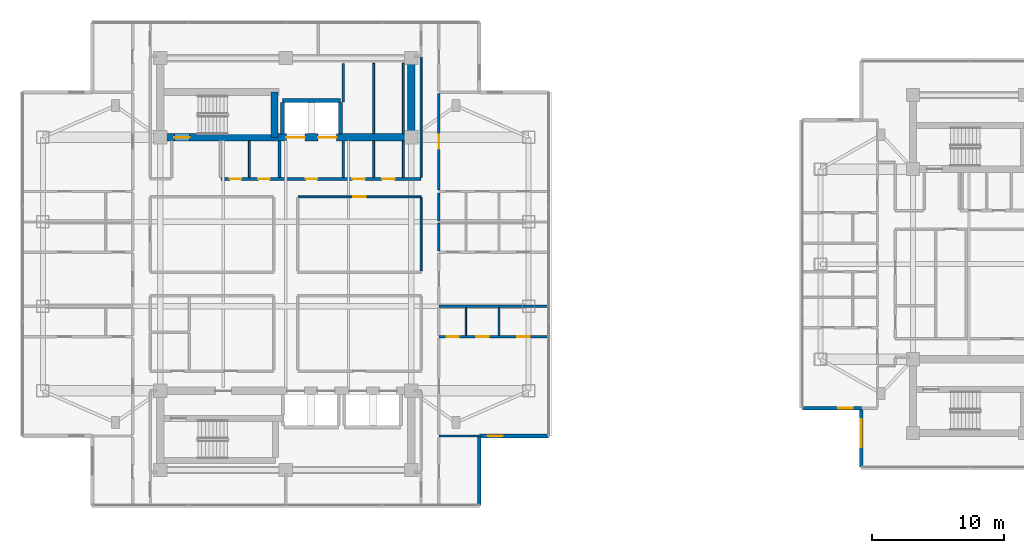
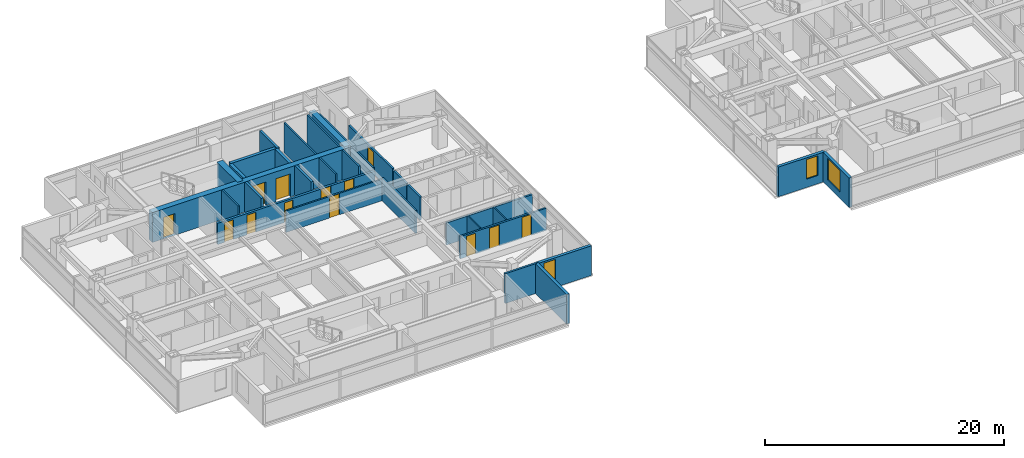
# One storey, part 14 of 24: 30 walls, 13 doors, 3 windows, 16 openings.
"""IFC4 building model written with IfcOpenShell, lengths in metres."""

from ifc_helpers import new_model, si_unit, direction, frame, frame_2d, origin, place, context, subcontext, project, spatial, rectangle, extrude, material, layer, layer_set, type_object, element, fill, save


model = new_model("IFC4")

# Units and contexts
model_context = context("Model", 3, precision=1e-05, world=origin(), true_north=direction((0.0, 1.0)))
body_context = subcontext(model_context, "Body", "Model", "MODEL_VIEW")
ifc_project = project(units=[si_unit("LENGTHUNIT", "METRE"), si_unit("AREAUNIT", "SQUARE_METRE"), si_unit("VOLUMEUNIT", "CUBIC_METRE"), si_unit("PLANEANGLEUNIT", "RADIAN"), si_unit("MASSUNIT", "GRAM", prefix="KILO")], contexts=[model_context])

# Site, building, storey
site_placement = place(None, origin())
site = spatial("IfcSite", under=ifc_project, at=site_placement, CompositionType="ELEMENT")
building_placement = place(site_placement, origin())
building = spatial("IfcBuilding", under=site, at=building_placement, Name="Mirazonda Arch Towers", CompositionType="ELEMENT")
storey_placement = place(building_placement, frame((0.0, 0.0, 157.64990234375)))
storey = spatial("IfcBuildingStorey", under=building, at=storey_placement, Name="L44", CompositionType="ELEMENT", Elevation=157.64990234375)

# Wall
ifc_material_1 = material(Name="Concrete C50/60", Category="concrete")
ifc_layer_1 = layer(ifc_material_1, 0.550048828125, Name="WALL-CORE-550")
ifc_layer_set_1 = layer_set([ifc_layer_1], Name="Concrete C50/60")
wall_type_1 = type_object("IfcWallType", Name="WALL-CORE-550", PredefinedType="SHEAR", material=ifc_layer_set_1)
wall_1_placement = place(storey_placement, frame((30.0, 37.60009765625, 0.0), z_axis=(0.0, 0.0, 1.0), x_axis=(0.0, 1.0, 0.0)))
element("IfcWall", 1, at=wall_1_placement, inside=storey, type_object=wall_type_1, Name="L44 T1N-E Core Shear Wall", PredefinedType="SHEAR", context=body_context, shape_type="SweptSolid", body=[
    extrude(rectangle(XDim=6.0, YDim=0.550048828125, at=frame_2d((3.0, 0.0))), origin(), (0.0, 0.0, 1.0), 3.050048828125),
])

# Wall, openings, doors
wall_2_placement = place(storey_placement, frame((11.0, 37.60009765625, 0.0), z_axis=(0.0, 0.0, 1.0), x_axis=(1.0, 0.0, 0.0)))
wall_2 = element("IfcWall", 2, at=wall_2_placement, inside=storey, type_object=wall_type_1, Name="L44 T1N-S Core Shear Wall", PredefinedType="SHEAR", context=body_context, shape_type="SweptSolid", body=[
    extrude(rectangle(XDim=19.0, YDim=0.550048828125, at=frame_2d((9.5, 0.0))), origin(), (0.0, 0.0, 1.0), 3.050048828125),
])
opening_1_placement = place(wall_2_placement, frame((1.06005859375, 0.0, 0.0)))
opening_1 = element("IfcOpeningElement", 3, at=opening_1_placement, cuts=wall_2, Name="Opening DR-135", PredefinedType="OPENING", context=body_context, shape_type="SweptSolid", body=[
    extrude(rectangle(XDim=1.14990234375, YDim=2.199951171875, at=frame_2d((0.574951171875, 1.10009765625))), frame((0.0, 0.284912109375, 0.0), z_axis=(0.0, -1.0, 0.0), x_axis=(1.0, 0.0, 0.0)), (0.0, 0.0, 1.0), 0.570068359375),
])
opening_2_placement = place(wall_2_placement, frame((9.550048828125, 0.0, 0.0)))
opening_2 = element("IfcOpeningElement", 4, at=opening_2_placement, cuts=wall_2, Name="Opening LD-112", PredefinedType="OPENING", context=body_context, shape_type="SweptSolid", body=[
    extrude(rectangle(XDim=1.39990234375, YDim=2.35009765625, at=frame_2d((0.699951171875, 1.175048828125))), frame((0.0, 0.284912109375, 0.0), z_axis=(0.0, -1.0, 0.0), x_axis=(1.0, 0.0, 0.0)), (0.0, 0.0, 1.0), 0.570068359375),
])
opening_3_placement = place(wall_2_placement, frame((11.949951171875, 0.0, 0.0)))
opening_3 = element("IfcOpeningElement", 5, at=opening_3_placement, cuts=wall_2, Name="Opening LD-112", PredefinedType="OPENING", context=body_context, shape_type="SweptSolid", body=[
    extrude(rectangle(XDim=1.39990234375, YDim=2.35009765625, at=frame_2d((0.699951171875, 1.175048828125))), frame((0.0, 0.284912109375, 0.0), z_axis=(0.0, -1.0, 0.0), x_axis=(1.0, 0.0, 0.0)), (0.0, 0.0, 1.0), 0.570068359375),
])
ifc_material_2 = material(Name="Architectural Brushed Steel S355", Category="steel")
door_type_1 = type_object("IfcDoorType", Name="DOOR-LIFT-FFL-1400", OperationType="NOTDEFINED", PredefinedType="DOOR", material=ifc_material_2)
door_1_placement = place(opening_2_placement, origin())
door_1 = element("IfcDoor", 6, at=door_1_placement, inside=storey, type_object=door_type_1, Name="L44 Lift Landing Sliding Door FFL-T1", OperationType="DOUBLE_DOOR_SLIDING", OverallHeight=2.35009765625, OverallWidth=1.39990234375, PredefinedType="DOOR", context=body_context, shape_type="SweptSolid", body=[
    extrude(rectangle(XDim=1.39990234375, YDim=2.35009765625, at=frame_2d((0.699951171875, 1.175048828125))), frame((0.0, 0.02490234375, 0.0), z_axis=(0.0, -1.0, 0.0), x_axis=(1.0, 0.0, 0.0)), (0.0, 0.0, 1.0), 0.050048828125),
])
fill(opening_2, door_1)
door_2_placement = place(opening_3_placement, origin())
door_2 = element("IfcDoor", 7, at=door_2_placement, inside=storey, type_object=door_type_1, Name="L44 Lift Landing Sliding Door SVL-T1", OperationType="DOUBLE_DOOR_SLIDING", OverallHeight=2.35009765625, OverallWidth=1.39990234375, PredefinedType="DOOR", context=body_context, shape_type="SweptSolid", body=[
    extrude(rectangle(XDim=1.39990234375, YDim=2.35009765625, at=frame_2d((0.699951171875, 1.175048828125))), frame((0.0, 0.02490234375, 0.0), z_axis=(0.0, -1.0, 0.0), x_axis=(1.0, 0.0, 0.0)), (0.0, 0.0, 1.0), 0.050048828125),
])
fill(opening_3, door_2)
door_type_2 = type_object("IfcDoorType", Name="DOOR-STAIR-FD90-1150", OperationType="NOTDEFINED", PredefinedType="DOOR", material=ifc_material_2)
door_3_placement = place(opening_1_placement, origin())
door_3 = element("IfcDoor", 8, at=door_3_placement, inside=storey, type_object=door_type_2, Name="L44 Protected Exit Stair North Door", OperationType="SINGLE_SWING_LEFT", OverallHeight=2.199951171875, OverallWidth=1.14990234375, PredefinedType="DOOR", context=body_context, shape_type="SweptSolid", body=[
    extrude(rectangle(XDim=1.14990234375, YDim=2.199951171875, at=frame_2d((0.574951171875, 1.10009765625))), frame((0.0, 0.02490234375, 0.0), z_axis=(0.0, -1.0, 0.0), x_axis=(1.0, 0.0, 0.0)), (0.0, 0.0, 1.0), 0.050048828125),
])
fill(opening_1, door_3)

# Wall
wall_3_placement = place(storey_placement, frame((19.64990234375, 37.60009765625, 0.0), z_axis=(0.0, 0.0, 1.0), x_axis=(0.0, 1.0, 0.0)))
element("IfcWall", 9, at=wall_3_placement, inside=storey, type_object=wall_type_1, Name="L44 T1N-STE Core Shear Wall", PredefinedType="SHEAR", context=body_context, shape_type="SweptSolid", body=[
    extrude(rectangle(XDim=3.44287109375, YDim=0.550048828125, at=frame_2d((1.721435546875, 0.0))), origin(), (0.0, 0.0, 1.0), 3.050048828125),
])

# Wall, opening, window
ifc_material_3 = material(Name="Precast Concrete C40/50", Category="concrete")
ifc_layer_2 = layer(ifc_material_3, 0.280029296875, Name="WALL-EXT-WALL-280")
ifc_layer_set_2 = layer_set([ifc_layer_2], Name="Precast Concrete C40/50")
wall_type_2 = type_object("IfcWallType", Name="WALL-EXT-WALL-280", PredefinedType="SOLIDWALL", material=ifc_layer_set_2)
wall_4_placement = place(storey_placement, frame((35.1650390625, 14.97705078125, 0.0), z_axis=(0.0, 0.0, 1.0), x_axis=(1.0, 0.0, 0.0)))
wall_4 = element("IfcWall", 10, at=wall_4_placement, inside=storey, type_object=wall_type_2, Name="L44 T1 Corner Notch Return Wall WL-L44-T1-CSE1", PredefinedType="SOLIDWALL", context=body_context, shape_type="SweptSolid", body=[
    extrude(rectangle(XDim=5.244873046875, YDim=0.280029296875, at=frame_2d((2.62255859375, 0.0))), origin(), (0.0, 0.0, 1.0), 3.030029296875),
])
opening_4_placement = place(wall_4_placement, frame((0.64990234375, 0.0, 0.85009765625)))
opening_4 = element("IfcOpeningElement", 11, at=opening_4_placement, cuts=wall_4, Name="Opening WN-108", PredefinedType="OPENING", context=body_context, shape_type="SweptSolid", body=[
    extrude(rectangle(XDim=1.10009765625, YDim=2.0, at=frame_2d((0.550048828125, 1.0))), frame((0.0, 0.14990234375, 0.0), z_axis=(0.0, -1.0, 0.0), x_axis=(1.0, 0.0, 0.0)), (0.0, 0.0, 1.0), 0.300048828125),
])
ifc_material_4 = material(Name="Insulated Low-E Solar Glass", Category="glass")
window_type_1 = type_object("IfcWindowType", Name="WIN-NOTCH-1100x2000", PartitioningType="SINGLE_PANEL", PredefinedType="WINDOW", material=ifc_material_4)
window_1_placement = place(opening_4_placement, origin())
window_1 = element("IfcWindow", 12, at=window_1_placement, inside=storey, type_object=window_type_1, Name="L44 Punched Facade Window WN-L44-T1-CSE1", OverallHeight=2.0, OverallWidth=1.10009765625, PartitioningType="SINGLE_PANEL", PredefinedType="WINDOW", context=body_context, shape_type="SweptSolid", body=[
    extrude(rectangle(XDim=1.10009765625, YDim=2.0, at=frame_2d((0.550048828125, 1.0))), frame((0.0, 0.030029296875, 0.0), z_axis=(0.0, -1.0, 0.0), x_axis=(1.0, 0.0, 0.0)), (0.0, 0.0, 1.0), 0.06005859375),
])
fill(opening_4, window_1)

# Wall
wall_5_placement = place(storey_placement, frame((35.1650390625, 9.73193359375, 0.0), z_axis=(0.0, 0.0, 1.0), x_axis=(0.0, 1.0, 0.0)))
element("IfcWall", 13, at=wall_5_placement, inside=storey, type_object=wall_type_2, Name="L44 T1 Corner Notch Return Wall WL-L44-T1-CSE2", PredefinedType="SOLIDWALL", context=body_context, shape_type="SweptSolid", body=[
    extrude(rectangle(XDim=5.2451171875, YDim=0.280029296875, at=frame_2d((2.62255859375, 0.0))), origin(), (0.0, 0.0, 1.0), 3.030029296875),
])

# Wall, opening, window
wall_6_placement = place(storey_placement, frame((64.0947265625, 17.09033203125, 0.0), z_axis=(0.0, 0.0, 1.0), x_axis=(0.0, -1.0, 0.0)))
wall_6 = element("IfcWall", 14, at=wall_6_placement, inside=storey, type_object=wall_type_2, Name="L44 T2 Notched SW Corner Wall WL-L44-T2-CSW", PredefinedType="SOLIDWALL", context=body_context, shape_type="SweptSolid", body=[
    extrude(rectangle(XDim=4.465087890625, YDim=0.280029296875, at=frame_2d((2.232421875, 0.0))), origin(), (0.0, 0.0, 1.0), 3.030029296875),
])
opening_5_placement = place(wall_6_placement, frame((0.85009765625, 0.0, 0.679931640625)))
opening_5 = element("IfcOpeningElement", 15, at=opening_5_placement, cuts=wall_6, Name="Opening WN-117", PredefinedType="OPENING", context=body_context, shape_type="SweptSolid", body=[
    extrude(rectangle(XDim=2.10009765625, YDim=2.199951171875, at=frame_2d((1.050048828125, 1.10009765625))), frame((0.0, 0.14990234375, 0.0), z_axis=(0.0, -1.0, 0.0), x_axis=(1.0, 0.0, 0.0)), (0.0, 0.0, 1.0), 0.300048828125),
])
window_type_2 = type_object("IfcWindowType", Name="WIN-RES-2100x2200", PartitioningType="SINGLE_PANEL", PredefinedType="WINDOW", material=ifc_material_4)
window_2_placement = place(opening_5_placement, origin())
window_2 = element("IfcWindow", 16, at=window_2_placement, inside=storey, type_object=window_type_2, Name="L44 Punched Facade Window WN-L44-T2-CSW", OverallHeight=2.199951171875, OverallWidth=2.10009765625, PartitioningType="SINGLE_PANEL", PredefinedType="WINDOW", context=body_context, shape_type="SweptSolid", body=[
    extrude(rectangle(XDim=2.10009765625, YDim=2.199951171875, at=frame_2d((1.050048828125, 1.10009765625))), frame((0.0, 0.030029296875, 0.0), z_axis=(0.0, -1.0, 0.0), x_axis=(1.0, 0.0, 0.0)), (0.0, 0.0, 1.0), 0.06005859375),
])
fill(opening_5, window_2)

wall_7_placement = place(storey_placement, frame((59.62939453125, 17.09033203125, 0.0), z_axis=(0.0, 0.0, 1.0), x_axis=(1.0, 0.0, 0.0)))
wall_7 = element("IfcWall", 17, at=wall_7_placement, inside=storey, type_object=wall_type_2, Name="L44 T2 Corner Notch Return Wall WL-L44-T2-CSW2", PredefinedType="SOLIDWALL", context=body_context, shape_type="SweptSolid", body=[
    extrude(rectangle(XDim=4.46533203125, YDim=0.280029296875, at=frame_2d((2.232666015625, 0.0))), origin(), (0.0, 0.0, 1.0), 3.030029296875),
])
opening_6_placement = place(wall_7_placement, frame((2.715087890625, 0.0, 0.85009765625)))
opening_6 = element("IfcOpeningElement", 18, at=opening_6_placement, cuts=wall_7, Name="Opening WN-108", PredefinedType="OPENING", context=body_context, shape_type="SweptSolid", body=[
    extrude(rectangle(XDim=1.10009765625, YDim=2.0, at=frame_2d((0.550048828125, 1.0))), frame((0.0, 0.14990234375, 0.0), z_axis=(0.0, -1.0, 0.0), x_axis=(1.0, 0.0, 0.0)), (0.0, 0.0, 1.0), 0.300048828125),
])
window_3_placement = place(opening_6_placement, origin())
window_3 = element("IfcWindow", 19, at=window_3_placement, inside=storey, type_object=window_type_1, Name="L44 Punched Facade Window WN-L44-T2-CSW2", OverallHeight=2.0, OverallWidth=1.10009765625, PartitioningType="SINGLE_PANEL", PredefinedType="WINDOW", context=body_context, shape_type="SweptSolid", body=[
    extrude(rectangle(XDim=1.10009765625, YDim=2.0, at=frame_2d((0.550048828125, 1.0))), frame((0.0, 0.030029296875, 0.0), z_axis=(0.0, -1.0, 0.0), x_axis=(1.0, 0.0, 0.0)), (0.0, 0.0, 1.0), 0.06005859375),
])
fill(opening_6, window_3)

# Wall, openings, doors
ifc_material_5 = material(Name="Concrete C40/50", Category="concrete")
ifc_layer_3 = layer(ifc_material_5, 0.219970703125, Name="WALL-FFL-220")
ifc_layer_set_3 = layer_set([ifc_layer_3], Name="Concrete C40/50")
wall_type_3 = type_object("IfcWallType", Name="WALL-FFL-220", PredefinedType="SOLIDWALL", material=ifc_layer_set_3)
wall_8_placement = place(storey_placement, frame((15.590087890625, 34.449951171875, 0.0), z_axis=(0.0, 0.0, 1.0), x_axis=(1.0, 0.0, 0.0)))
wall_8 = element("IfcWall", 20, at=wall_8_placement, inside=storey, type_object=wall_type_3, Name="L44 Interior Partition 052", PredefinedType="SOLIDWALL", context=body_context, shape_type="SweptSolid", body=[
    extrude(rectangle(XDim=15.169921875, YDim=0.219970703125, at=frame_2d((7.5849609375, 0.0))), origin(), (0.0, 0.0, 1.0), 2.18603515625),
])
opening_7_placement = place(wall_8_placement, frame((6.43505859375, 0.0, 0.0)))
opening_7 = element("IfcOpeningElement", 21, at=opening_7_placement, cuts=wall_8, Name="Opening DR-128", PredefinedType="OPENING", context=body_context, shape_type="SweptSolid", body=[
    extrude(rectangle(XDim=0.85009765625, YDim=2.010009765625, at=frame_2d((0.425048828125, 1.0048828125))), frame((0.0, 0.119873046875, 0.0), z_axis=(0.0, -1.0, 0.0), x_axis=(1.0, 0.0, 0.0)), (0.0, 0.0, 1.0), 0.239990234375),
])
opening_8_placement = place(wall_8_placement, frame((9.9599609375, 0.0, 0.0)))
opening_8 = element("IfcOpeningElement", 22, at=opening_8_placement, cuts=wall_8, Name="Opening DR-104", PredefinedType="OPENING", context=body_context, shape_type="SweptSolid", body=[
    extrude(rectangle(XDim=0.949951171875, YDim=2.14990234375, at=frame_2d((0.47509765625, 1.074951171875))), frame((0.0, 0.119873046875, 0.0), z_axis=(0.0, -1.0, 0.0), x_axis=(1.0, 0.0, 0.0)), (0.0, 0.0, 1.0), 0.239990234375),
])
opening_9_placement = place(wall_8_placement, frame((12.2099609375, 0.0, 0.0)))
opening_9 = element("IfcOpeningElement", 23, at=opening_9_placement, cuts=wall_8, Name="Opening DR-104", PredefinedType="OPENING", context=body_context, shape_type="SweptSolid", body=[
    extrude(rectangle(XDim=0.949951171875, YDim=2.14990234375, at=frame_2d((0.47509765625, 1.074951171875))), frame((0.0, 0.119873046875, 0.0), z_axis=(0.0, -1.0, 0.0), x_axis=(1.0, 0.0, 0.0)), (0.0, 0.0, 1.0), 0.239990234375),
])
opening_10_placement = place(wall_8_placement, frame((0.675048828125, 0.0, 0.0)))
opening_10 = element("IfcOpeningElement", 24, at=opening_10_placement, cuts=wall_8, Name="Opening DR-128", PredefinedType="OPENING", context=body_context, shape_type="SweptSolid", body=[
    extrude(rectangle(XDim=0.85009765625, YDim=2.010009765625, at=frame_2d((0.425048828125, 1.0048828125))), frame((0.0, 0.119873046875, 0.0), z_axis=(0.0, -1.0, 0.0), x_axis=(1.0, 0.0, 0.0)), (0.0, 0.0, 1.0), 0.239990234375),
])
opening_11_placement = place(wall_8_placement, frame((2.8349609375, 0.0, 0.0)))
opening_11 = element("IfcOpeningElement", 25, at=opening_11_placement, cuts=wall_8, Name="Opening DR-128", PredefinedType="OPENING", context=body_context, shape_type="SweptSolid", body=[
    extrude(rectangle(XDim=0.85009765625, YDim=2.010009765625, at=frame_2d((0.425048828125, 1.0048828125))), frame((0.0, 0.119873046875, 0.0), z_axis=(0.0, -1.0, 0.0), x_axis=(1.0, 0.0, 0.0)), (0.0, 0.0, 1.0), 0.239990234375),
])
door_type_3 = type_object("IfcDoorType", Name="DOOR-RISER-FD60-850", OperationType="NOTDEFINED", PredefinedType="DOOR", material=ifc_material_2)
door_4_placement = place(opening_7_placement, origin())
door_4 = element("IfcDoor", 26, at=door_4_placement, inside=storey, type_object=door_type_3, Name="L44 Firefighting Lift Lobby Door", OperationType="SINGLE_SWING_RIGHT", OverallHeight=2.010009765625, OverallWidth=0.85009765625, PredefinedType="DOOR", context=body_context, shape_type="SweptSolid", body=[
    extrude(rectangle(XDim=0.85009765625, YDim=2.010009765625, at=frame_2d((0.425048828125, 1.0048828125))), frame((0.0, 0.02490234375, 0.0), z_axis=(0.0, -1.0, 0.0), x_axis=(1.0, 0.0, 0.0)), (0.0, 0.0, 1.0), 0.050048828125),
])
fill(opening_7, door_4)
door_5_placement = place(opening_10_placement, origin())
door_5 = element("IfcDoor", 27, at=door_5_placement, inside=storey, type_object=door_type_3, Name="L44 Electrical Room Door", OperationType="SINGLE_SWING_LEFT", OverallHeight=2.010009765625, OverallWidth=0.85009765625, PredefinedType="DOOR", context=body_context, shape_type="SweptSolid", body=[
    extrude(rectangle(XDim=0.85009765625, YDim=2.010009765625, at=frame_2d((0.425048828125, 1.0048828125))), frame((0.0, 0.02490234375, 0.0), z_axis=(0.0, -1.0, 0.0), x_axis=(1.0, 0.0, 0.0)), (0.0, 0.0, 1.0), 0.050048828125),
])
fill(opening_10, door_5)
door_6_placement = place(opening_11_placement, origin())
door_6 = element("IfcDoor", 28, at=door_6_placement, inside=storey, type_object=door_type_3, Name="L44 Cleaners & Housekeeping Store Door", OperationType="SINGLE_SWING_RIGHT", OverallHeight=2.010009765625, OverallWidth=0.85009765625, PredefinedType="DOOR", context=body_context, shape_type="SweptSolid", body=[
    extrude(rectangle(XDim=0.85009765625, YDim=2.010009765625, at=frame_2d((0.425048828125, 1.0048828125))), frame((0.0, 0.02490234375, 0.0), z_axis=(0.0, -1.0, 0.0), x_axis=(1.0, 0.0, 0.0)), (0.0, 0.0, 1.0), 0.050048828125),
])
fill(opening_11, door_6)
door_type_4 = type_object("IfcDoorType", Name="DOOR-ROOM-950", OperationType="NOTDEFINED", PredefinedType="DOOR", material=ifc_material_2)
door_7_placement = place(opening_8_placement, origin())
door_7 = element("IfcDoor", 29, at=door_7_placement, inside=storey, type_object=door_type_4, Name="L44 Residents Private Art Gallery Door", OperationType="SINGLE_SWING_LEFT", OverallHeight=2.14990234375, OverallWidth=0.949951171875, PredefinedType="DOOR", context=body_context, shape_type="SweptSolid", body=[
    extrude(rectangle(XDim=0.949951171875, YDim=2.14990234375, at=frame_2d((0.47509765625, 1.074951171875))), frame((0.0, 0.02490234375, 0.0), z_axis=(0.0, -1.0, 0.0), x_axis=(1.0, 0.0, 0.0)), (0.0, 0.0, 1.0), 0.050048828125),
])
fill(opening_8, door_7)
door_8_placement = place(opening_9_placement, origin())
door_8 = element("IfcDoor", 30, at=door_8_placement, inside=storey, type_object=door_type_4, Name="L44 Private Quiet Study Door", OperationType="SINGLE_SWING_RIGHT", OverallHeight=2.14990234375, OverallWidth=0.949951171875, PredefinedType="DOOR", context=body_context, shape_type="SweptSolid", body=[
    extrude(rectangle(XDim=0.949951171875, YDim=2.14990234375, at=frame_2d((0.47509765625, 1.074951171875))), frame((0.0, 0.02490234375, 0.0), z_axis=(0.0, -1.0, 0.0), x_axis=(1.0, 0.0, 0.0)), (0.0, 0.0, 1.0), 0.050048828125),
])
fill(opening_9, door_8)

# Walls
for number, where, z_axis, x_axis, name in (
    (31, (20.02490234375, 34.570068359375, 0.0), (0.0, 0.0, 1.0), (0.0, 1.0, 0.0), "L44 Interior Partition 090"),
    (32, (24.85009765625, 34.570068359375, 0.0), (0.0, 0.0, 1.0), (0.0, 1.0, 0.0), "L44 Interior Partition 101"),
):
    element("IfcWall", number, at=place(storey_placement, frame(where, z_axis=z_axis, x_axis=x_axis)), inside=storey, type_object=wall_type_3, Name=name, PredefinedType="SOLIDWALL", context=body_context, shape_type="SweptSolid", body=[
        extrude(rectangle(XDim=2.760009765625, YDim=0.219970703125, at=frame_2d((1.3798828125, 0.0))), origin(), (0.0, 0.0, 1.0), 3.050048828125),
    ])
wall_9_placement = place(storey_placement, frame((24.85009765625, 40.260009765625, 0.0), z_axis=(0.0, 0.0, 1.0), x_axis=(0.0, 1.0, 0.0)))
element("IfcWall", 33, at=wall_9_placement, inside=storey, type_object=wall_type_3, Name="L44 Interior Partition 102", PredefinedType="SOLIDWALL", context=body_context, shape_type="SweptSolid", body=[
    extrude(rectangle(XDim=2.93994140625, YDim=0.219970703125, at=frame_2d((1.469970703125, 0.0))), origin(), (0.0, 0.0, 1.0), 3.050048828125),
])

# Wall, opening, door
ifc_material_6 = material(Name="Fire-Rated Gypsum Stud Partition")
ifc_layer_4 = layer(ifc_material_6, 0.14990234375, Name="WALL-PART-CORR-150")
ifc_layer_set_4 = layer_set([ifc_layer_4], Name="Fire-Rated Gypsum Stud Partition")
wall_type_4 = type_object("IfcWallType", Name="WALL-PART-CORR-150", PredefinedType="PARTITIONING", material=ifc_layer_set_4)
wall_10_placement = place(storey_placement, frame((21.43994140625, 33.10009765625, 0.0), z_axis=(0.0, 0.0, 1.0), x_axis=(1.0, 0.0, 0.0)))
wall_10 = element("IfcWall", 34, at=wall_10_placement, inside=storey, type_object=wall_type_4, Name="L44 Interior Partition 048", PredefinedType="PARTITIONING", context=body_context, shape_type="SweptSolid", body=[
    extrude(rectangle(XDim=9.320068359375, YDim=0.14990234375, at=frame_2d((4.66015625, 0.0))), origin(), (0.0, 0.0, 1.0), 2.18603515625),
])
opening_12_placement = place(wall_10_placement, frame((4.18505859375, 0.0, 0.0)))
opening_12 = element("IfcOpeningElement", 35, at=opening_12_placement, cuts=wall_10, Name="Opening DR-104", PredefinedType="OPENING", context=body_context, shape_type="SweptSolid", body=[
    extrude(rectangle(XDim=0.949951171875, YDim=2.14990234375, at=frame_2d((0.47509765625, 1.074951171875))), frame((0.0, 0.0849609375, 0.0), z_axis=(0.0, -1.0, 0.0), x_axis=(1.0, 0.0, 0.0)), (0.0, 0.0, 1.0), 0.169921875),
])
door_9_placement = place(opening_12_placement, origin())
door_9 = element("IfcDoor", 36, at=door_9_placement, inside=storey, type_object=door_type_4, Name="L44 L44 North-East Cruciform Study Door", OperationType="SINGLE_SWING_RIGHT", OverallHeight=2.14990234375, OverallWidth=0.949951171875, PredefinedType="DOOR", context=body_context, shape_type="SweptSolid", body=[
    extrude(rectangle(XDim=0.949951171875, YDim=2.14990234375, at=frame_2d((0.47509765625, 1.074951171875))), frame((0.0, 0.02490234375, 0.0), z_axis=(0.0, -1.0, 0.0), x_axis=(1.0, 0.0, 0.0)), (0.0, 0.0, 1.0), 0.050048828125),
])
fill(opening_12, door_9)

# Walls
for number, where, z_axis, x_axis, name in (
    (37, (17.75, 34.570068359375, 0.0), (0.0, 0.0, 1.0), (0.0, 1.0, 0.0), "L44 Interior Partition 086"),
    (38, (27.14990234375, 34.570068359375, 0.0), (0.0, 0.0, 1.0), (0.0, 1.0, 0.0), "L44 Interior Partition 103"),
):
    element("IfcWall", number, at=place(storey_placement, frame(where, z_axis=z_axis, x_axis=x_axis)), inside=storey, type_object=wall_type_4, Name=name, PredefinedType="PARTITIONING", context=body_context, shape_type="SweptSolid", body=[
        extrude(rectangle(XDim=2.760009765625, YDim=0.14990234375, at=frame_2d((1.3798828125, 0.0))), origin(), (0.0, 0.0, 1.0), 3.050048828125),
    ])
wall_11_placement = place(storey_placement, frame((27.14990234375, 37.8701171875, 0.0), z_axis=(0.0, 0.0, 1.0), x_axis=(0.0, 1.0, 0.0)))
element("IfcWall", 39, at=wall_11_placement, inside=storey, type_object=wall_type_4, Name="L44 Interior Partition 104", PredefinedType="PARTITIONING", context=body_context, shape_type="SweptSolid", body=[
    extrude(rectangle(XDim=5.329833984375, YDim=0.14990234375, at=frame_2d((2.6650390625, 0.0))), origin(), (0.0, 0.0, 1.0), 3.050048828125),
])
wall_12_placement = place(storey_placement, frame((29.39990234375, 34.570068359375, 0.0), z_axis=(0.0, 0.0, 1.0), x_axis=(0.0, 1.0, 0.0)))
element("IfcWall", 40, at=wall_12_placement, inside=storey, type_object=wall_type_4, Name="L44 Interior Partition 106", PredefinedType="PARTITIONING", context=body_context, shape_type="SweptSolid", body=[
    extrude(rectangle(XDim=2.760009765625, YDim=0.14990234375, at=frame_2d((1.3798828125, 0.0))), origin(), (0.0, 0.0, 1.0), 3.050048828125),
])
wall_13_placement = place(storey_placement, frame((29.39990234375, 37.8701171875, 0.0), z_axis=(0.0, 0.0, 1.0), x_axis=(0.0, 1.0, 0.0)))
element("IfcWall", 41, at=wall_13_placement, inside=storey, type_object=wall_type_4, Name="L44 Interior Partition 107", PredefinedType="PARTITIONING", context=body_context, shape_type="SweptSolid", body=[
    extrude(rectangle(XDim=5.329833984375, YDim=0.14990234375, at=frame_2d((2.6650390625, 0.0))), origin(), (0.0, 0.0, 1.0), 3.050048828125),
])
wall_14_placement = place(storey_placement, frame((30.760009765625, 27.485107421875, 0.0), z_axis=(0.0, 0.0, 1.0), x_axis=(0.0, 1.0, 0.0)))
element("IfcWall", 42, at=wall_14_placement, inside=storey, type_object=wall_type_4, Name="L44 Interior Partition 111", PredefinedType="PARTITIONING", context=body_context, shape_type="SweptSolid", body=[
    extrude(rectangle(XDim=5.52978515625, YDim=0.14990234375, at=frame_2d((2.764892578125, 0.0))), origin(), (0.0, 0.0, 1.0), 2.34619140625),
])
wall_15_placement = place(storey_placement, frame((30.760009765625, 34.570068359375, 0.0), z_axis=(0.0, 0.0, 1.0), x_axis=(0.0, 1.0, 0.0)))
element("IfcWall", 43, at=wall_15_placement, inside=storey, type_object=wall_type_4, Name="L44 Interior Partition 112", PredefinedType="PARTITIONING", context=body_context, shape_type="SweptSolid", body=[
    extrude(rectangle(XDim=9.094970703125, YDim=0.14990234375, at=frame_2d((4.54736328125, 0.0))), origin(), (0.0, 0.0, 1.0), 2.442138671875),
])
ifc_material_7 = material(Name="Fire-Rated Gypsum Twin-Stud Assembly")
ifc_layer_5 = layer(ifc_material_7, 0.179931640625, Name="WALL-PART-DEMISE-180")
ifc_layer_set_5 = layer_set([ifc_layer_5], Name="Fire-Rated Gypsum Twin-Stud Assembly")
wall_type_5 = type_object("IfcWallType", Name="WALL-PART-DEMISE-180", PredefinedType="PARTITIONING", material=ifc_layer_set_5)
wall_16_placement = place(storey_placement, frame((32.10009765625, 14.97705078125, 0.0), z_axis=(0.0, 0.0, 1.0), x_axis=(1.0, 0.0, 0.0)))
element("IfcWall", 44, at=wall_16_placement, inside=storey, type_object=wall_type_5, Name="L44 Interior Partition 005", PredefinedType="PARTITIONING", context=body_context, shape_type="SweptSolid", body=[
    extrude(rectangle(XDim=3.044921875, YDim=0.179931640625, at=frame_2d((1.5224609375, 0.0))), origin(), (0.0, 0.0, 1.0), 3.050048828125),
])

# Wall, openings, doors
wall_17_placement = place(storey_placement, frame((32.10009765625, 22.5, 0.0), z_axis=(0.0, 0.0, 1.0), x_axis=(1.0, 0.0, 0.0)))
wall_17 = element("IfcWall", 45, at=wall_17_placement, inside=storey, type_object=wall_type_5, Name="L44 Interior Partition 022", PredefinedType="PARTITIONING", context=body_context, shape_type="SweptSolid", body=[
    extrude(rectangle(XDim=8.309814453125, YDim=0.179931640625, at=frame_2d((4.15478515625, 0.0))), origin(), (0.0, 0.0, 1.0), 2.26904296875),
])
opening_13_placement = place(wall_17_placement, frame((5.93408203125, 0.0, 0.0)))
opening_13 = element("IfcOpeningElement", 46, at=opening_13_placement, cuts=wall_17, Name="Opening DR-104", PredefinedType="OPENING", context=body_context, shape_type="SweptSolid", body=[
    extrude(rectangle(XDim=0.949951171875, YDim=2.14990234375, at=frame_2d((0.47509765625, 1.074951171875))), frame((0.0, 0.099853515625, 0.0), z_axis=(0.0, -1.0, 0.0), x_axis=(1.0, 0.0, 0.0)), (0.0, 0.0, 1.0), 0.199951171875),
])
opening_14_placement = place(wall_17_placement, frame((2.819091796875, 0.0, 0.0)))
opening_14 = element("IfcOpeningElement", 47, at=opening_14_placement, cuts=wall_17, Name="Opening DR-104", PredefinedType="OPENING", context=body_context, shape_type="SweptSolid", body=[
    extrude(rectangle(XDim=0.949951171875, YDim=2.14990234375, at=frame_2d((0.47509765625, 1.074951171875))), frame((0.0, 0.099853515625, 0.0), z_axis=(0.0, -1.0, 0.0), x_axis=(1.0, 0.0, 0.0)), (0.0, 0.0, 1.0), 0.199951171875),
])
opening_15_placement = place(wall_17_placement, frame((0.590087890625, 0.0, 0.0)))
opening_15 = element("IfcOpeningElement", 48, at=opening_15_placement, cuts=wall_17, Name="Opening DR-120", PredefinedType="OPENING", context=body_context, shape_type="SweptSolid", body=[
    extrude(rectangle(XDim=0.89990234375, YDim=2.10009765625, at=frame_2d((0.449951171875, 1.050048828125))), frame((0.0, 0.099853515625, 0.0), z_axis=(0.0, -1.0, 0.0), x_axis=(1.0, 0.0, 0.0)), (0.0, 0.0, 1.0), 0.199951171875),
])
door_10_placement = place(opening_13_placement, origin())
door_10 = element("IfcDoor", 49, at=door_10_placement, inside=storey, type_object=door_type_4, Name="L44 Residence 1 Principal Bedroom Door", OperationType="SINGLE_SWING_RIGHT", OverallHeight=2.14990234375, OverallWidth=0.949951171875, PredefinedType="DOOR", context=body_context, shape_type="SweptSolid", body=[
    extrude(rectangle(XDim=0.949951171875, YDim=2.14990234375, at=frame_2d((0.47509765625, 1.074951171875))), frame((0.0, 0.02490234375, 0.0), z_axis=(0.0, -1.0, 0.0), x_axis=(1.0, 0.0, 0.0)), (0.0, 0.0, 1.0), 0.050048828125),
])
fill(opening_13, door_10)
door_11_placement = place(opening_14_placement, origin())
door_11 = element("IfcDoor", 50, at=door_11_placement, inside=storey, type_object=door_type_4, Name="L44 Residence 1 Fitted Kitchen Door", OperationType="SINGLE_SWING_LEFT", OverallHeight=2.14990234375, OverallWidth=0.949951171875, PredefinedType="DOOR", context=body_context, shape_type="SweptSolid", body=[
    extrude(rectangle(XDim=0.949951171875, YDim=2.14990234375, at=frame_2d((0.47509765625, 1.074951171875))), frame((0.0, 0.02490234375, 0.0), z_axis=(0.0, -1.0, 0.0), x_axis=(1.0, 0.0, 0.0)), (0.0, 0.0, 1.0), 0.050048828125),
])
fill(opening_14, door_11)
door_type_5 = type_object("IfcDoorType", Name="DOOR-WC-900", OperationType="NOTDEFINED", PredefinedType="DOOR", material=ifc_material_2)
door_12_placement = place(opening_15_placement, origin())
door_12 = element("IfcDoor", 51, at=door_12_placement, inside=storey, type_object=door_type_5, Name="L44 Residence 1 Bathroom Door", OperationType="SINGLE_SWING_RIGHT", OverallHeight=2.10009765625, OverallWidth=0.89990234375, PredefinedType="DOOR", context=body_context, shape_type="SweptSolid", body=[
    extrude(rectangle(XDim=0.89990234375, YDim=2.10009765625, at=frame_2d((0.449951171875, 1.050048828125))), frame((0.0, 0.02490234375, 0.0), z_axis=(0.0, -1.0, 0.0), x_axis=(1.0, 0.0, 0.0)), (0.0, 0.0, 1.0), 0.050048828125),
])
fill(opening_15, door_12)

# Walls
wall_18_placement = place(storey_placement, frame((32.10009765625, 24.800048828125, 0.0), z_axis=(0.0, 0.0, 1.0), x_axis=(1.0, 0.0, 0.0)))
element("IfcWall", 52, at=wall_18_placement, inside=storey, type_object=wall_type_5, Name="L44 Interior Partition 027", PredefinedType="PARTITIONING", context=body_context, shape_type="SweptSolid", body=[
    extrude(rectangle(XDim=8.309814453125, YDim=0.179931640625, at=frame_2d((4.15478515625, 0.0))), origin(), (0.0, 0.0, 1.0), 2.26904296875),
])
for number, where, z_axis, x_axis, name in (
    (53, (32.10009765625, 29.0, 0.0), (0.0, 0.0, 1.0), (0.0, 1.0, 0.0), "L44 Interior Partition 118"),
    (54, (32.10009765625, 31.2724609375, 0.0), (0.0, 0.0, 1.0), (0.0, 1.0, 0.0), "L44 Interior Partition 119"),
):
    element("IfcWall", number, at=place(storey_placement, frame(where, z_axis=z_axis, x_axis=x_axis)), inside=storey, type_object=wall_type_5, Name=name, PredefinedType="PARTITIONING", context=body_context, shape_type="SweptSolid", body=[
        extrude(rectangle(XDim=2.12744140625, YDim=0.179931640625, at=frame_2d((1.063720703125, 0.0))), origin(), (0.0, 0.0, 1.0), 2.34619140625),
    ])

# Wall, opening, door
wall_19_placement = place(storey_placement, frame((32.10009765625, 33.60009765625, 0.0), z_axis=(0.0, 0.0, 1.0), x_axis=(0.0, 1.0, 0.0)))
wall_19 = element("IfcWall", 55, at=wall_19_placement, inside=storey, type_object=wall_type_5, Name="L44 Interior Partition 120", PredefinedType="PARTITIONING", context=body_context, shape_type="SweptSolid", body=[
    extrude(rectangle(XDim=7.322998046875, YDim=0.179931640625, at=frame_2d((3.66162109375, 0.0))), origin(), (0.0, 0.0, 1.0), 2.442138671875),
])
opening_16_placement = place(wall_19_placement, frame((3.136474609375, 0.0, 0.0)))
opening_16 = element("IfcOpeningElement", 56, at=opening_16_placement, cuts=wall_19, Name="Opening DR-121", PredefinedType="OPENING", context=body_context, shape_type="SweptSolid", body=[
    extrude(rectangle(XDim=1.050048828125, YDim=2.199951171875, at=frame_2d((0.52490234375, 1.10009765625))), frame((0.0, 0.099853515625, 0.0), z_axis=(0.0, -1.0, 0.0), x_axis=(1.0, 0.0, 0.0)), (0.0, 0.0, 1.0), 0.199951171875),
])
door_type_6 = type_object("IfcDoorType", Name="DOOR-SUITE-FD60-1050", OperationType="NOTDEFINED", PredefinedType="DOOR", material=ifc_material_2)
door_13_placement = place(opening_16_placement, origin())
door_13 = element("IfcDoor", 57, at=door_13_placement, inside=storey, type_object=door_type_6, Name="L44 Residence 3 Living & Dining Salon Door", OperationType="SINGLE_SWING_LEFT", OverallHeight=2.199951171875, OverallWidth=1.050048828125, PredefinedType="DOOR", context=body_context, shape_type="SweptSolid", body=[
    extrude(rectangle(XDim=1.050048828125, YDim=2.199951171875, at=frame_2d((0.52490234375, 1.10009765625))), frame((0.0, 0.02490234375, 0.0), z_axis=(0.0, -1.0, 0.0), x_axis=(1.0, 0.0, 0.0)), (0.0, 0.0, 1.0), 0.050048828125),
])
fill(opening_16, door_13)

# Walls
ifc_material_8 = material(Name="Acoustic Fire-Rated Gypsum Partition")
ifc_layer_6 = layer(ifc_material_8, 0.125, Name="WALL-PART-UNIT-125")
ifc_layer_set_6 = layer_set([ifc_layer_6], Name="Acoustic Fire-Rated Gypsum Partition")
wall_type_6 = type_object("IfcWallType", Name="WALL-PART-UNIT-125", PredefinedType="PARTITIONING", material=ifc_layer_set_6)
for number, where, z_axis, x_axis, name in (
    (58, (34.139892578125, 22.60009765625, 0.0), (0.0, 0.0, 1.0), (0.0, 1.0, 0.0), "L44 Interior Partition 122"),
    (59, (36.64794921875, 22.60009765625, 0.0), (0.0, 0.0, 1.0), (0.0, 1.0, 0.0), "L44 Interior Partition 125"),
):
    element("IfcWall", number, at=place(storey_placement, frame(where, z_axis=z_axis, x_axis=x_axis)), inside=storey, type_object=wall_type_6, Name=name, PredefinedType="PARTITIONING", context=body_context, shape_type="SweptSolid", body=[
        extrude(rectangle(XDim=2.099853515625, YDim=0.125, at=frame_2d((1.0498046875, 0.0))), origin(), (0.0, 0.0, 1.0), 2.34619140625),
    ])
ifc_layer_7 = layer(ifc_material_1, 0.300048828125, Name="WALL-SHAFT-300")
ifc_layer_set_7 = layer_set([ifc_layer_7], Name="Concrete C50/60")
wall_type_7 = type_object("IfcWallType", Name="WALL-SHAFT-300", PredefinedType="SOLIDWALL", material=ifc_layer_set_7)
wall_20_placement = place(storey_placement, frame((20.25, 40.39990234375, 0.0), z_axis=(0.0, 0.0, 1.0), x_axis=(1.0, 0.0, 0.0)))
element("IfcWall", 60, at=wall_20_placement, inside=storey, type_object=wall_type_7, Name="L44 Interior Partition 059", PredefinedType="SOLIDWALL", context=body_context, shape_type="SweptSolid", body=[
    extrude(rectangle(XDim=4.39990234375, YDim=0.300048828125, at=frame_2d((2.199951171875, 0.0))), origin(), (0.0, 0.0, 1.0), 3.050048828125),
])
for number, where, z_axis, x_axis, name in (
    (61, (20.25, 37.8701171875, 0.0), (0.0, 0.0, 1.0), (0.0, 1.0, 0.0), "L44 Interior Partition 093"),
    (62, (24.64990234375, 37.8701171875, 0.0), (0.0, 0.0, 1.0), (0.0, 1.0, 0.0), "L44 Interior Partition 099"),
):
    element("IfcWall", number, at=place(storey_placement, frame(where, z_axis=z_axis, x_axis=x_axis)), inside=storey, type_object=wall_type_7, Name=name, PredefinedType="SOLIDWALL", context=body_context, shape_type="SweptSolid", body=[
        extrude(rectangle(XDim=2.369873046875, YDim=0.300048828125, at=frame_2d((1.18505859375, 0.0))), origin(), (0.0, 0.0, 1.0), 3.050048828125),
    ])

save(model, "model.ifc")
